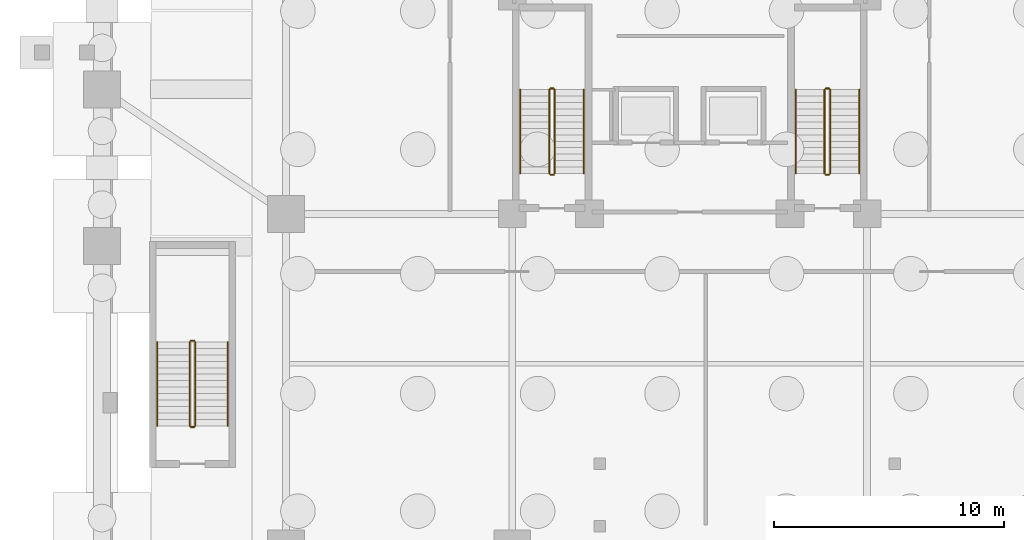
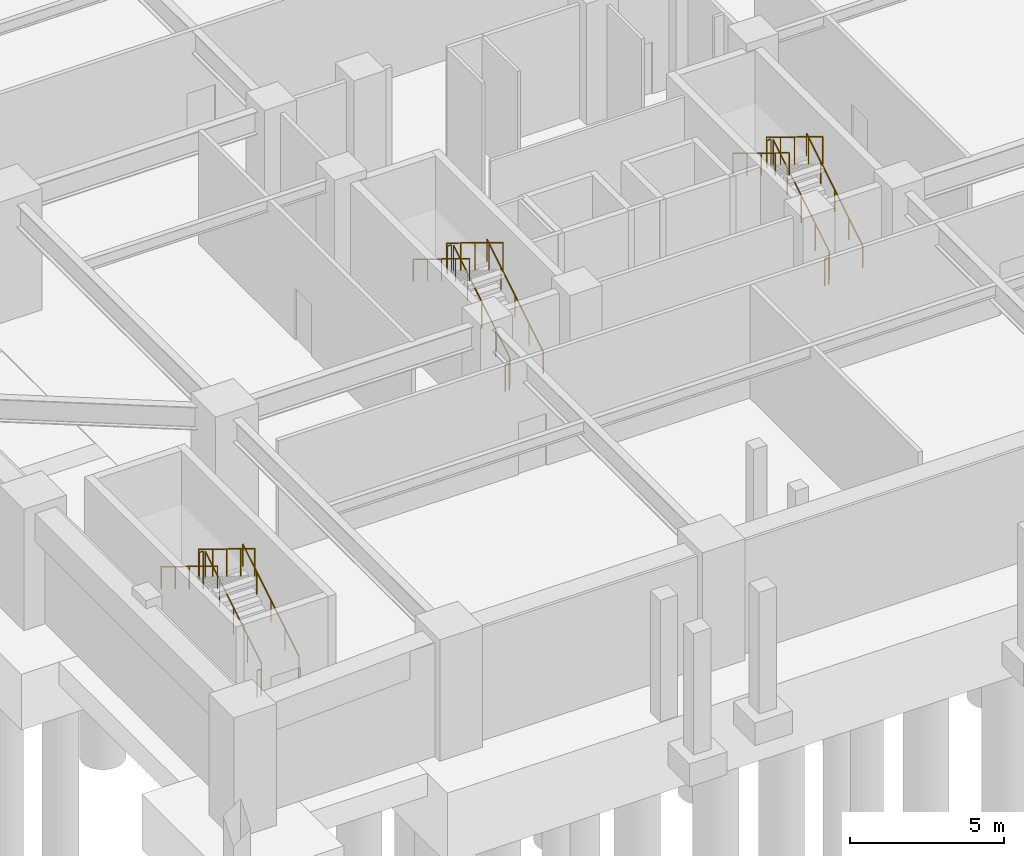
# One storey, part 6 of 8: 18 railings.
"""IFC4 building model written with IfcOpenShell, lengths in metres."""

from ifc_helpers import new_model, si_unit, derived_unit, direction, frame, origin, origin_2d, place, context, subcontext, project, spatial, circle, extrude, material, type_object, element, save


model = new_model("IFC4")

# Units and contexts
model_context = context("Model", 3, precision=1e-05, world=origin(), true_north=direction((0.0, 1.0)))
body_context = subcontext(model_context, "Body", "Model", "MODEL_VIEW")
ifc_project = project(units=[si_unit("LENGTHUNIT", "METRE"), si_unit("AREAUNIT", "SQUARE_METRE"), si_unit("VOLUMEUNIT", "CUBIC_METRE"), si_unit("PLANEANGLEUNIT", "RADIAN"), si_unit("MASSUNIT", "GRAM", prefix="KILO"), derived_unit("THERMALTRANSMITTANCEUNIT", [(si_unit("MASSUNIT", "GRAM", prefix="KILO"), 1), (si_unit("TIMEUNIT", "SECOND"), -3), (si_unit("THERMODYNAMICTEMPERATUREUNIT", "KELVIN"), -1)])], contexts=[model_context])

# Site, building, storey
site_placement = place(None, origin())
site = spatial("IfcSite", under=ifc_project, at=site_placement, CompositionType="ELEMENT")
building_placement = place(site_placement, origin())
building = spatial("IfcBuilding", under=site, at=building_placement, Name="Korrvale Station Residences", CompositionType="ELEMENT")
storey_placement = place(building_placement, frame((0.0, 0.0, -9.60009765625)))
storey = spatial("IfcBuildingStorey", under=building, at=storey_placement, Name="B02", CompositionType="ELEMENT", Elevation=-9.60009765625)

# Railings
ifc_material_1 = material(Name="Brushed stainless-steel continuous stair handrail", Category="steel")
railing_type_1 = type_object("IfcRailingType", Name="RLG-SHND-900", PredefinedType="HANDRAIL", material=ifc_material_1)
railing_1_placement = place(storey_placement, frame((20.89990234375, 16.75, 0.171630859375)))
element("IfcRailing", 1, at=railing_1_placement, inside=storey, type_object=railing_type_1, Name="B02 ST-1 stair handrail 1", PredefinedType="HANDRAIL", context=body_context, shape_type="SweptSolid", body=[
    extrude(circle(Radius=0.02392578125, at=origin_2d()), frame((0.0, 0.0, 0.8759765625), z_axis=(0.0, 0.852850264322, 0.5221555579), x_axis=(-1.0, 0.0, 0.0)), (0.0, 0.0, 1.0), 4.267822265625),
    extrude(circle(Radius=0.02099609375, at=origin_2d()), origin(), (0.0, 0.0, 1.0), 0.851806640625),
    extrude(circle(Radius=0.02099609375, at=origin_2d()), frame((0.0, 0.909912109375, 0.55712890625)), (0.0, 0.0, 1.0), 0.851806640625),
    extrude(circle(Radius=0.02099609375, at=origin_2d()), frame((0.0, 1.81982421875, 1.1142578125)), (0.0, 0.0, 1.0), 0.851806640625),
    extrude(circle(Radius=0.02099609375, at=origin_2d()), frame((0.0, 2.72998046875, 1.67138671875)), (0.0, 0.0, 1.0), 0.851806640625),
    extrude(circle(Radius=0.02099609375, at=origin_2d()), frame((0.0, 3.639892578125, 2.228515625)), (0.0, 0.0, 1.0), 0.851806640625),
])
railing_2_placement = place(storey_placement, frame((18.14990234375, 20.389892578125, 2.571533203125)))
element("IfcRailing", 2, at=railing_2_placement, inside=storey, type_object=railing_type_1, Name="B02 ST-1 stair handrail 2", PredefinedType="HANDRAIL", context=body_context, shape_type="SweptSolid", body=[
    extrude(circle(Radius=0.02392578125, at=origin_2d()), frame((0.0, 0.0, 0.8759765625), z_axis=(0.0, -0.852850264322, 0.5221555579), x_axis=(1.0, 0.0, 0.0)), (0.0, 0.0, 1.0), 4.267822265625),
    extrude(circle(Radius=0.02099609375, at=origin_2d()), origin(), (0.0, 0.0, 1.0), 0.851806640625),
    extrude(circle(Radius=0.02099609375, at=origin_2d()), frame((0.0, -0.909912109375, 0.55712890625)), (0.0, 0.0, 1.0), 0.851806640625),
    extrude(circle(Radius=0.02099609375, at=origin_2d()), frame((0.0, -1.81982421875, 1.1142578125)), (0.0, 0.0, 1.0), 0.851806640625),
    extrude(circle(Radius=0.02099609375, at=origin_2d()), frame((0.0, -2.72998046875, 1.67138671875)), (0.0, 0.0, 1.0), 0.851806640625),
    extrude(circle(Radius=0.02099609375, at=origin_2d()), frame((0.0, -3.639892578125, 2.228515625)), (0.0, 0.0, 1.0), 0.851806640625),
])
railing_3_placement = place(storey_placement, frame((32.85009765625, 16.75, 0.171630859375)))
element("IfcRailing", 3, at=railing_3_placement, inside=storey, type_object=railing_type_1, Name="B02 ST-2 stair handrail 1", PredefinedType="HANDRAIL", context=body_context, shape_type="SweptSolid", body=[
    extrude(circle(Radius=0.02392578125, at=origin_2d()), frame((0.0, 0.0, 0.8759765625), z_axis=(0.0, 0.852850264322, 0.5221555579), x_axis=(-1.0, 0.0, 0.0)), (0.0, 0.0, 1.0), 4.267822265625),
    extrude(circle(Radius=0.02099609375, at=origin_2d()), origin(), (0.0, 0.0, 1.0), 0.851806640625),
    extrude(circle(Radius=0.02099609375, at=origin_2d()), frame((0.0, 0.909912109375, 0.55712890625)), (0.0, 0.0, 1.0), 0.851806640625),
    extrude(circle(Radius=0.02099609375, at=origin_2d()), frame((0.0, 1.81982421875, 1.1142578125)), (0.0, 0.0, 1.0), 0.851806640625),
    extrude(circle(Radius=0.02099609375, at=origin_2d()), frame((0.0, 2.72998046875, 1.67138671875)), (0.0, 0.0, 1.0), 0.851806640625),
    extrude(circle(Radius=0.02099609375, at=origin_2d()), frame((0.0, 3.639892578125, 2.228515625)), (0.0, 0.0, 1.0), 0.851806640625),
])
railing_4_placement = place(storey_placement, frame((30.10009765625, 20.389892578125, 2.571533203125)))
element("IfcRailing", 4, at=railing_4_placement, inside=storey, type_object=railing_type_1, Name="B02 ST-2 stair handrail 2", PredefinedType="HANDRAIL", context=body_context, shape_type="SweptSolid", body=[
    extrude(circle(Radius=0.02392578125, at=origin_2d()), frame((0.0, 0.0, 0.8759765625), z_axis=(0.0, -0.852850264322, 0.5221555579), x_axis=(1.0, 0.0, 0.0)), (0.0, 0.0, 1.0), 4.267822265625),
    extrude(circle(Radius=0.02099609375, at=origin_2d()), origin(), (0.0, 0.0, 1.0), 0.851806640625),
    extrude(circle(Radius=0.02099609375, at=origin_2d()), frame((0.0, -0.909912109375, 0.55712890625)), (0.0, 0.0, 1.0), 0.851806640625),
    extrude(circle(Radius=0.02099609375, at=origin_2d()), frame((0.0, -1.81982421875, 1.1142578125)), (0.0, 0.0, 1.0), 0.851806640625),
    extrude(circle(Radius=0.02099609375, at=origin_2d()), frame((0.0, -2.72998046875, 1.67138671875)), (0.0, 0.0, 1.0), 0.851806640625),
    extrude(circle(Radius=0.02099609375, at=origin_2d()), frame((0.0, -3.639892578125, 2.228515625)), (0.0, 0.0, 1.0), 0.851806640625),
])
railing_5_placement = place(storey_placement, frame((5.449951171875, 5.800048828125, 0.171630859375)))
element("IfcRailing", 5, at=railing_5_placement, inside=storey, type_object=railing_type_1, Name="B02 ST-3 stair handrail 1", PredefinedType="HANDRAIL", context=body_context, shape_type="SweptSolid", body=[
    extrude(circle(Radius=0.02392578125, at=origin_2d()), frame((0.0, 0.0, 0.8759765625), z_axis=(0.0, 0.852850264322, 0.5221555579), x_axis=(-1.0, 0.0, 0.0)), (0.0, 0.0, 1.0), 4.267822265625),
    extrude(circle(Radius=0.02099609375, at=origin_2d()), origin(), (0.0, 0.0, 1.0), 0.851806640625),
    extrude(circle(Radius=0.02099609375, at=origin_2d()), frame((0.0, 0.909912109375, 0.55712890625)), (0.0, 0.0, 1.0), 0.851806640625),
    extrude(circle(Radius=0.02099609375, at=origin_2d()), frame((0.0, 1.81982421875, 1.1142578125)), (0.0, 0.0, 1.0), 0.851806640625),
    extrude(circle(Radius=0.02099609375, at=origin_2d()), frame((0.0, 2.72998046875, 1.67138671875)), (0.0, 0.0, 1.0), 0.851806640625),
    extrude(circle(Radius=0.02099609375, at=origin_2d()), frame((0.0, 3.639892578125, 2.228515625)), (0.0, 0.0, 1.0), 0.851806640625),
])
railing_6_placement = place(storey_placement, frame((2.39990234375, 9.43994140625, 2.571533203125)))
element("IfcRailing", 6, at=railing_6_placement, inside=storey, type_object=railing_type_1, Name="B02 ST-3 stair handrail 2", PredefinedType="HANDRAIL", context=body_context, shape_type="SweptSolid", body=[
    extrude(circle(Radius=0.02392578125, at=origin_2d()), frame((0.0, 0.0, 0.8759765625), z_axis=(0.0, -0.852850264322, 0.5221555579), x_axis=(1.0, 0.0, 0.0)), (0.0, 0.0, 1.0), 4.267822265625),
    extrude(circle(Radius=0.02099609375, at=origin_2d()), origin(), (0.0, 0.0, 1.0), 0.851806640625),
    extrude(circle(Radius=0.02099609375, at=origin_2d()), frame((0.0, -0.909912109375, 0.55712890625)), (0.0, 0.0, 1.0), 0.851806640625),
    extrude(circle(Radius=0.02099609375, at=origin_2d()), frame((0.0, -1.81982421875, 1.1142578125)), (0.0, 0.0, 1.0), 0.851806640625),
    extrude(circle(Radius=0.02099609375, at=origin_2d()), frame((0.0, -2.72998046875, 1.67138671875)), (0.0, 0.0, 1.0), 0.851806640625),
    extrude(circle(Radius=0.02099609375, at=origin_2d()), frame((0.0, -3.639892578125, 2.228515625)), (0.0, 0.0, 1.0), 0.851806640625),
])
ifc_material_2 = material(Name="Galvanised painted tubular steel stair guard", Category="steel")
railing_type_2 = type_object("IfcRailingType", Name="RLG-STR-1100", PredefinedType="GUARDRAIL", material=ifc_material_2)
railing_7_placement = place(storey_placement, frame((19.64990234375, 16.75, 0.171630859375)))
element("IfcRailing", 7, at=railing_7_placement, inside=storey, type_object=railing_type_2, Name="B02 ST-1 stair guard 1", PredefinedType="GUARDRAIL", context=body_context, shape_type="SweptSolid", body=[
    extrude(circle(Radius=0.02392578125, at=origin_2d()), frame((0.0, 0.0, 1.076171875), z_axis=(0.0, 0.852850264322, 0.5221555579), x_axis=(-1.0, 0.0, 0.0)), (0.0, 0.0, 1.0), 4.267822265625),
    extrude(circle(Radius=0.02099609375, at=origin_2d()), origin(), (0.0, 0.0, 1.0), 1.052001953125),
    extrude(circle(Radius=0.02099609375, at=origin_2d()), frame((0.0, 0.909912109375, 0.55712890625)), (0.0, 0.0, 1.0), 1.052001953125),
    extrude(circle(Radius=0.02099609375, at=origin_2d()), frame((0.0, 1.81982421875, 1.1142578125)), (0.0, 0.0, 1.0), 1.052001953125),
    extrude(circle(Radius=0.02099609375, at=origin_2d()), frame((0.0, 2.72998046875, 1.67138671875)), (0.0, 0.0, 1.0), 1.052001953125),
    extrude(circle(Radius=0.02099609375, at=origin_2d()), frame((0.0, 3.639892578125, 2.228515625)), (0.0, 0.0, 1.0), 1.052001953125),
])
railing_8_placement = place(storey_placement, frame((19.60009765625, 20.43994140625, 2.400146484375)))
element("IfcRailing", 8, at=railing_8_placement, inside=storey, type_object=railing_type_2, Name="B02 ST-1 stair guard 2", PredefinedType="GUARDRAIL", context=body_context, shape_type="SweptSolid", body=[
    extrude(circle(Radius=0.02392578125, at=origin_2d()), frame((0.0, 0.0, 1.076171875), z_axis=(-1.0, 0.0, 0.0), x_axis=(0.0, -1.0, 0.0)), (0.0, 0.0, 1.0), 0.150146484375),
    extrude(circle(Radius=0.02099609375, at=origin_2d()), origin(), (0.0, 0.0, 1.0), 1.052001953125),
    extrude(circle(Radius=0.02099609375, at=origin_2d()), frame((-0.150146484375, 0.0, 0.0)), (0.0, 0.0, 1.0), 1.052001953125),
])
railing_9_placement = place(storey_placement, frame((19.39990234375, 20.389892578125, 2.571533203125)))
element("IfcRailing", 9, at=railing_9_placement, inside=storey, type_object=railing_type_2, Name="B02 ST-1 stair guard 3", PredefinedType="GUARDRAIL", context=body_context, shape_type="SweptSolid", body=[
    extrude(circle(Radius=0.02392578125, at=origin_2d()), frame((0.0, 0.0, 1.076171875), z_axis=(0.0, -0.852850264322, 0.5221555579), x_axis=(1.0, 0.0, 0.0)), (0.0, 0.0, 1.0), 4.267822265625),
    extrude(circle(Radius=0.02099609375, at=origin_2d()), origin(), (0.0, 0.0, 1.0), 1.052001953125),
    extrude(circle(Radius=0.02099609375, at=origin_2d()), frame((0.0, -0.909912109375, 0.55712890625)), (0.0, 0.0, 1.0), 1.052001953125),
    extrude(circle(Radius=0.02099609375, at=origin_2d()), frame((0.0, -1.81982421875, 1.1142578125)), (0.0, 0.0, 1.0), 1.052001953125),
    extrude(circle(Radius=0.02099609375, at=origin_2d()), frame((0.0, -2.72998046875, 1.67138671875)), (0.0, 0.0, 1.0), 1.052001953125),
    extrude(circle(Radius=0.02099609375, at=origin_2d()), frame((0.0, -3.639892578125, 2.228515625)), (0.0, 0.0, 1.0), 1.052001953125),
])
railing_10_placement = place(storey_placement, frame((19.60009765625, 16.699951171875, 0.0)))
element("IfcRailing", 10, at=railing_10_placement, inside=storey, type_object=railing_type_2, Name="B02 ST-1 stair guard 4", PredefinedType="GUARDRAIL", context=body_context, shape_type="SweptSolid", body=[
    extrude(circle(Radius=0.02392578125, at=origin_2d()), frame((0.0, 0.0, 1.076171875), z_axis=(-1.0, 0.0, 0.0), x_axis=(0.0, -1.0, 0.0)), (0.0, 0.0, 1.0), 0.150146484375),
    extrude(circle(Radius=0.02099609375, at=origin_2d()), origin(), (0.0, 0.0, 1.0), 1.052001953125),
    extrude(circle(Radius=0.02099609375, at=origin_2d()), frame((-0.150146484375, 0.0, 0.0)), (0.0, 0.0, 1.0), 1.052001953125),
])
railing_11_placement = place(storey_placement, frame((31.60009765625, 16.75, 0.171630859375)))
element("IfcRailing", 11, at=railing_11_placement, inside=storey, type_object=railing_type_2, Name="B02 ST-2 stair guard 1", PredefinedType="GUARDRAIL", context=body_context, shape_type="SweptSolid", body=[
    extrude(circle(Radius=0.02392578125, at=origin_2d()), frame((0.0, 0.0, 1.076171875), z_axis=(0.0, 0.852850264322, 0.5221555579), x_axis=(-1.0, 0.0, 0.0)), (0.0, 0.0, 1.0), 4.267822265625),
    extrude(circle(Radius=0.02099609375, at=origin_2d()), origin(), (0.0, 0.0, 1.0), 1.052001953125),
    extrude(circle(Radius=0.02099609375, at=origin_2d()), frame((0.0, 0.909912109375, 0.55712890625)), (0.0, 0.0, 1.0), 1.052001953125),
    extrude(circle(Radius=0.02099609375, at=origin_2d()), frame((0.0, 1.81982421875, 1.1142578125)), (0.0, 0.0, 1.0), 1.052001953125),
    extrude(circle(Radius=0.02099609375, at=origin_2d()), frame((0.0, 2.72998046875, 1.67138671875)), (0.0, 0.0, 1.0), 1.052001953125),
    extrude(circle(Radius=0.02099609375, at=origin_2d()), frame((0.0, 3.639892578125, 2.228515625)), (0.0, 0.0, 1.0), 1.052001953125),
])
railing_12_placement = place(storey_placement, frame((31.550048828125, 20.43994140625, 2.400146484375)))
element("IfcRailing", 12, at=railing_12_placement, inside=storey, type_object=railing_type_2, Name="B02 ST-2 stair guard 2", PredefinedType="GUARDRAIL", context=body_context, shape_type="SweptSolid", body=[
    extrude(circle(Radius=0.02392578125, at=origin_2d()), frame((0.0, 0.0, 1.076171875), z_axis=(-1.0, 0.0, 0.0), x_axis=(0.0, -1.0, 0.0)), (0.0, 0.0, 1.0), 0.150146484375),
    extrude(circle(Radius=0.02099609375, at=origin_2d()), origin(), (0.0, 0.0, 1.0), 1.052001953125),
    extrude(circle(Radius=0.02099609375, at=origin_2d()), frame((-0.150146484375, 0.0, 0.0)), (0.0, 0.0, 1.0), 1.052001953125),
])
railing_13_placement = place(storey_placement, frame((31.35009765625, 20.389892578125, 2.571533203125)))
element("IfcRailing", 13, at=railing_13_placement, inside=storey, type_object=railing_type_2, Name="B02 ST-2 stair guard 3", PredefinedType="GUARDRAIL", context=body_context, shape_type="SweptSolid", body=[
    extrude(circle(Radius=0.02392578125, at=origin_2d()), frame((0.0, 0.0, 1.076171875), z_axis=(0.0, -0.852850264322, 0.5221555579), x_axis=(1.0, 0.0, 0.0)), (0.0, 0.0, 1.0), 4.267822265625),
    extrude(circle(Radius=0.02099609375, at=origin_2d()), origin(), (0.0, 0.0, 1.0), 1.052001953125),
    extrude(circle(Radius=0.02099609375, at=origin_2d()), frame((0.0, -0.909912109375, 0.55712890625)), (0.0, 0.0, 1.0), 1.052001953125),
    extrude(circle(Radius=0.02099609375, at=origin_2d()), frame((0.0, -1.81982421875, 1.1142578125)), (0.0, 0.0, 1.0), 1.052001953125),
    extrude(circle(Radius=0.02099609375, at=origin_2d()), frame((0.0, -2.72998046875, 1.67138671875)), (0.0, 0.0, 1.0), 1.052001953125),
    extrude(circle(Radius=0.02099609375, at=origin_2d()), frame((0.0, -3.639892578125, 2.228515625)), (0.0, 0.0, 1.0), 1.052001953125),
])
railing_14_placement = place(storey_placement, frame((31.550048828125, 16.699951171875, 0.0)))
element("IfcRailing", 14, at=railing_14_placement, inside=storey, type_object=railing_type_2, Name="B02 ST-2 stair guard 4", PredefinedType="GUARDRAIL", context=body_context, shape_type="SweptSolid", body=[
    extrude(circle(Radius=0.02392578125, at=origin_2d()), frame((0.0, 0.0, 1.076171875), z_axis=(-1.0, 0.0, 0.0), x_axis=(0.0, -1.0, 0.0)), (0.0, 0.0, 1.0), 0.150146484375),
    extrude(circle(Radius=0.02099609375, at=origin_2d()), origin(), (0.0, 0.0, 1.0), 1.052001953125),
    extrude(circle(Radius=0.02099609375, at=origin_2d()), frame((-0.150146484375, 0.0, 0.0)), (0.0, 0.0, 1.0), 1.052001953125),
])
railing_15_placement = place(storey_placement, frame((4.050048828125, 5.800048828125, 0.171630859375)))
element("IfcRailing", 15, at=railing_15_placement, inside=storey, type_object=railing_type_2, Name="B02 ST-3 stair guard 1", PredefinedType="GUARDRAIL", context=body_context, shape_type="SweptSolid", body=[
    extrude(circle(Radius=0.02392578125, at=origin_2d()), frame((0.0, 0.0, 1.076171875), z_axis=(0.0, 0.852850264322, 0.5221555579), x_axis=(-1.0, 0.0, 0.0)), (0.0, 0.0, 1.0), 4.267822265625),
    extrude(circle(Radius=0.02099609375, at=origin_2d()), origin(), (0.0, 0.0, 1.0), 1.052001953125),
    extrude(circle(Radius=0.02099609375, at=origin_2d()), frame((0.0, 0.909912109375, 0.55712890625)), (0.0, 0.0, 1.0), 1.052001953125),
    extrude(circle(Radius=0.02099609375, at=origin_2d()), frame((0.0, 1.81982421875, 1.1142578125)), (0.0, 0.0, 1.0), 1.052001953125),
    extrude(circle(Radius=0.02099609375, at=origin_2d()), frame((0.0, 2.72998046875, 1.67138671875)), (0.0, 0.0, 1.0), 1.052001953125),
    extrude(circle(Radius=0.02099609375, at=origin_2d()), frame((0.0, 3.639892578125, 2.228515625)), (0.0, 0.0, 1.0), 1.052001953125),
])
railing_16_placement = place(storey_placement, frame((4.0, 9.489990234375, 2.400146484375)))
element("IfcRailing", 16, at=railing_16_placement, inside=storey, type_object=railing_type_2, Name="B02 ST-3 stair guard 2", PredefinedType="GUARDRAIL", context=body_context, shape_type="SweptSolid", body=[
    extrude(circle(Radius=0.02392578125, at=origin_2d()), frame((0.0, 0.0, 1.076171875), z_axis=(-1.0, 0.0, 0.0), x_axis=(0.0, -1.0, 0.0)), (0.0, 0.0, 1.0), 0.14990234375),
    extrude(circle(Radius=0.02099609375, at=origin_2d()), origin(), (0.0, 0.0, 1.0), 1.052001953125),
    extrude(circle(Radius=0.02099609375, at=origin_2d()), frame((-0.14990234375, 0.0, 0.0)), (0.0, 0.0, 1.0), 1.052001953125),
])
railing_17_placement = place(storey_placement, frame((3.800048828125, 9.43994140625, 2.571533203125)))
element("IfcRailing", 17, at=railing_17_placement, inside=storey, type_object=railing_type_2, Name="B02 ST-3 stair guard 3", PredefinedType="GUARDRAIL", context=body_context, shape_type="SweptSolid", body=[
    extrude(circle(Radius=0.02392578125, at=origin_2d()), frame((0.0, 0.0, 1.076171875), z_axis=(0.0, -0.852850264322, 0.5221555579), x_axis=(1.0, 0.0, 0.0)), (0.0, 0.0, 1.0), 4.267822265625),
    extrude(circle(Radius=0.02099609375, at=origin_2d()), origin(), (0.0, 0.0, 1.0), 1.052001953125),
    extrude(circle(Radius=0.02099609375, at=origin_2d()), frame((0.0, -0.909912109375, 0.55712890625)), (0.0, 0.0, 1.0), 1.052001953125),
    extrude(circle(Radius=0.02099609375, at=origin_2d()), frame((0.0, -1.81982421875, 1.1142578125)), (0.0, 0.0, 1.0), 1.052001953125),
    extrude(circle(Radius=0.02099609375, at=origin_2d()), frame((0.0, -2.72998046875, 1.67138671875)), (0.0, 0.0, 1.0), 1.052001953125),
    extrude(circle(Radius=0.02099609375, at=origin_2d()), frame((0.0, -3.639892578125, 2.228515625)), (0.0, 0.0, 1.0), 1.052001953125),
])
railing_18_placement = place(storey_placement, frame((4.0, 5.75, 0.0)))
element("IfcRailing", 18, at=railing_18_placement, inside=storey, type_object=railing_type_2, Name="B02 ST-3 stair guard 4", PredefinedType="GUARDRAIL", context=body_context, shape_type="SweptSolid", body=[
    extrude(circle(Radius=0.02392578125, at=origin_2d()), frame((0.0, 0.0, 1.076171875), z_axis=(-1.0, 0.0, 0.0), x_axis=(0.0, -1.0, 0.0)), (0.0, 0.0, 1.0), 0.14990234375),
    extrude(circle(Radius=0.02099609375, at=origin_2d()), origin(), (0.0, 0.0, 1.0), 1.052001953125),
    extrude(circle(Radius=0.02099609375, at=origin_2d()), frame((-0.14990234375, 0.0, 0.0)), (0.0, 0.0, 1.0), 1.052001953125),
])

save(model, "model.ifc")
